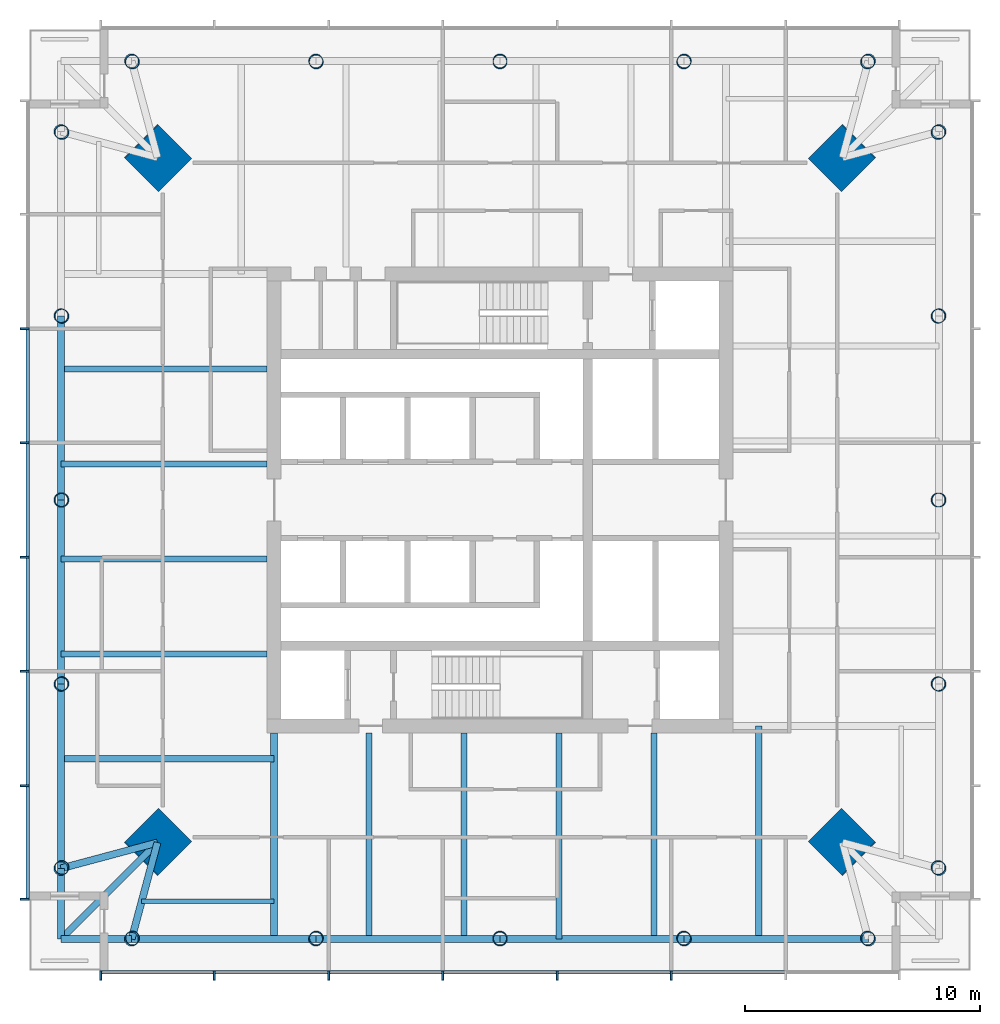
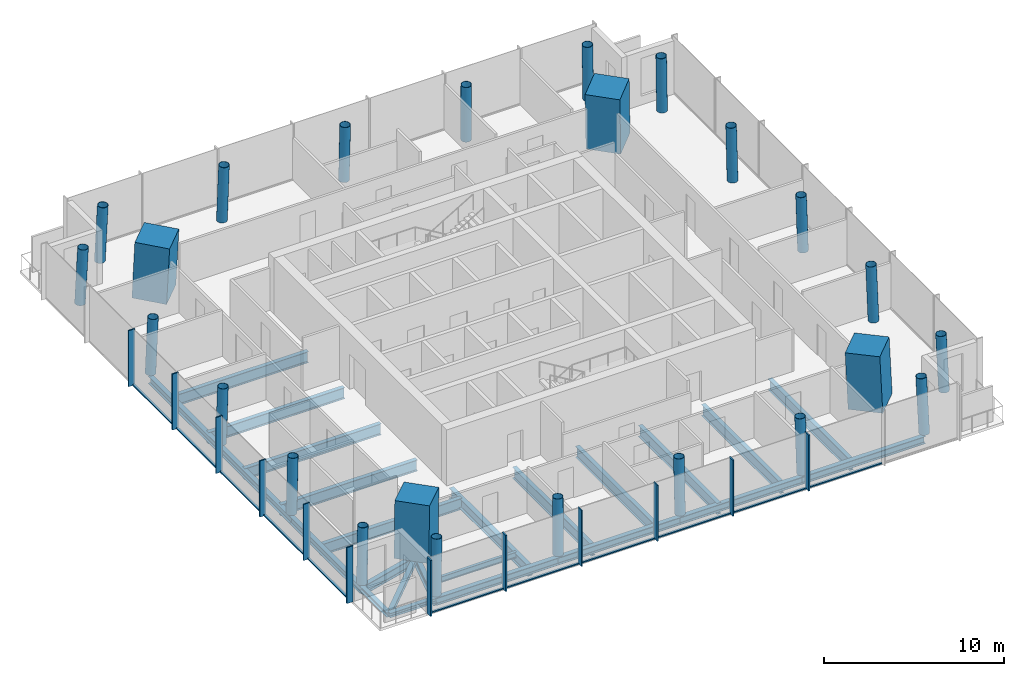
# One storey, part 1 of 7: 24 beams, 24 columns, 23 members, 2 elements without a shape of their own.
"""IFC4 building model written with IfcOpenShell, lengths in metres."""

from ifc_helpers import new_model, si_unit, direction, frame, origin, origin_2d, place, context, subcontext, project, spatial, rectangle, hollow_circle, i_section, extrude, material, material_profile, profile_set, type_object, element, aggregate, save


model = new_model("IFC4")

# Units and contexts
model_context = context("Model", 3, precision=1e-05, world=origin(), true_north=direction((0.0, 1.0)))
body_context = subcontext(model_context, "Body", "Model", "MODEL_VIEW")
ifc_project = project(units=[si_unit("LENGTHUNIT", "METRE"), si_unit("AREAUNIT", "SQUARE_METRE"), si_unit("VOLUMEUNIT", "CUBIC_METRE"), si_unit("PLANEANGLEUNIT", "RADIAN"), si_unit("MASSUNIT", "GRAM", prefix="KILO")], contexts=[model_context])

# Site, building, storey
site_placement = place(None, origin())
site = spatial("IfcSite", under=ifc_project, at=site_placement, CompositionType="ELEMENT")
building_placement = place(site_placement, origin())
building = spatial("IfcBuilding", under=site, at=building_placement, Name="Ostroluk Exchange", CompositionType="ELEMENT")
storey_placement = place(building_placement, frame((0.0, 0.0, 188.199951171875)))
storey = spatial("IfcBuildingStorey", under=building, at=storey_placement, Name="L48", CompositionType="ELEMENT", Elevation=188.199951171875)

# Columns
ifc_material_1 = material(Name="Concrete C50/60", Category="concrete")
ifc_material_profile_1 = material_profile(ifc_material_1, rectangle(XDim=2.0, YDim=2.0, at=origin_2d()), Name="RC 2000x2000")
ifc_profile_set_1 = profile_set([ifc_material_profile_1], Name="Concrete C50/60")
column_type_1 = type_object("IfcColumnType", Name="Mega column RC 2000x2000", PredefinedType="COLUMN", material=ifc_profile_set_1)
for number, where, z_axis, x_axis, name in (
    (1, (59.55712890625, 60.55712890625, 0.0), (-0.031898107953, -0.031898107953, 0.998981992539), (0.707106781187, -0.707106781187, 0.0), "T1 mega column NE"),
    (2, (30.44287109375, 60.55712890625, 0.0), (0.031898107953, -0.031898107953, 0.998981992539), (0.707106781187, 0.707106781187, 0.0), "T1 mega column NW"),
    (3, (30.44287109375, 31.44287109375, 0.0), (0.031898107953, 0.031898107953, 0.998981992539), (-0.707106781187, 0.707106781187, 0.0), "T1 mega column SW"),
    (4, (59.55712890625, 31.44287109375, 0.0), (-0.031898107953, 0.031898107953, 0.998981992539), (-0.707106781187, -0.707106781187, 0.0), "T1 mega column SE"),
):
    element("IfcColumn", number, at=place(storey_placement, frame(where, z_axis=z_axis, x_axis=x_axis)), inside=storey, type_object=column_type_1, Name=name, PredefinedType="COLUMN", context=body_context, shape_type="SweptSolid", body=[
        extrude(rectangle(XDim=2.0, YDim=2.0, at=origin_2d()), origin(), (0.0, 0.0, 1.0), 3.803955078125),
    ])
ifc_material_2 = material(Name="Steel S460", Category="steel")
ifc_material_profile_2 = material_profile(ifc_material_2, hollow_circle(Radius=0.304931640625, WallThickness=0.02490234375, at=origin_2d()), Name="CHS 610x25")
ifc_profile_set_2 = profile_set([ifc_material_profile_2], Name="Steel S460")
column_type_2 = type_object("IfcColumnType", Name="Perimeter column CHS 610x25", PredefinedType="COLUMN", material=ifc_profile_set_2)
for number, where, z_axis, x_axis, name in (
    (5, (63.6572265625, 30.3427734375, 0.0), (-0.031962158256, 0.031962158256, 0.998977898093), (-0.707106781187, -0.707106781187, 0.0), "T1 east face column E0"),
    (6, (63.6572265625, 61.6572265625, 0.0), (-0.031962158256, -0.031962158256, 0.998977898093), (0.707106781187, -0.707106781187, 0.0), "T1 east face column E1"),
):
    element("IfcColumn", number, at=place(storey_placement, frame(where, z_axis=z_axis, x_axis=x_axis)), inside=storey, type_object=column_type_2, Name=name, PredefinedType="COLUMN", context=body_context, shape_type="SweptSolid", body=[
        extrude(hollow_circle(Radius=0.304931640625, WallThickness=0.02490234375, at=origin_2d()), origin(), (0.0, 0.0, 1.0), 3.803955078125),
    ])
column_1_placement = place(storey_placement, frame((63.6572265625, 38.17138671875, 0.0), z_axis=(-0.031974409754, 0.015987204877, 0.999360818924), x_axis=(-0.4472135955, -0.894427191, 0.0)))
element("IfcColumn", 7, at=column_1_placement, inside=storey, type_object=column_type_2, Name="T1 east face column I1", PredefinedType="COLUMN", context=body_context, shape_type="SweptSolid", body=[
    extrude(hollow_circle(Radius=0.304931640625, WallThickness=0.02490234375, at=origin_2d()), origin(), (0.0, 0.0, 1.0), 3.802490234375),
])
column_2_placement = place(storey_placement, frame((63.6572265625, 46.0, 0.0), z_axis=(-0.031978496719, 0.0, 0.999488557087), x_axis=(0.0, -1.0, 0.0)))
element("IfcColumn", 8, at=column_2_placement, inside=storey, type_object=column_type_2, Name="T1 east face column I2", PredefinedType="COLUMN", context=body_context, shape_type="SweptSolid", body=[
    extrude(hollow_circle(Radius=0.304931640625, WallThickness=0.02490234375, at=origin_2d()), origin(), (0.0, 0.0, 1.0), 3.802001953125),
])
column_3_placement = place(storey_placement, frame((63.6572265625, 53.82861328125, 0.0), z_axis=(-0.031974409754, -0.015987204877, 0.999360818924), x_axis=(0.4472135955, -0.894427191, 0.0)))
element("IfcColumn", 9, at=column_3_placement, inside=storey, type_object=column_type_2, Name="T1 east face column I3", PredefinedType="COLUMN", context=body_context, shape_type="SweptSolid", body=[
    extrude(hollow_circle(Radius=0.304931640625, WallThickness=0.02490234375, at=origin_2d()), origin(), (0.0, 0.0, 1.0), 3.802490234375),
])
for number, where, z_axis, x_axis, name in (
    (10, (60.6572265625, 64.6572265625, 0.0), (-0.031962158256, -0.031962158256, 0.998977898093), (0.707106781187, -0.707106781187, 0.0), "T1 north face column E0"),
    (11, (29.3427734375, 64.6572265625, 0.0), (0.031962158256, -0.031962158256, 0.998977898093), (0.707106781187, 0.707106781187, 0.0), "T1 north face column E1"),
):
    element("IfcColumn", number, at=place(storey_placement, frame(where, z_axis=z_axis, x_axis=x_axis)), inside=storey, type_object=column_type_2, Name=name, PredefinedType="COLUMN", context=body_context, shape_type="SweptSolid", body=[
        extrude(hollow_circle(Radius=0.304931640625, WallThickness=0.02490234375, at=origin_2d()), origin(), (0.0, 0.0, 1.0), 3.803955078125),
    ])
column_4_placement = place(storey_placement, frame((52.82861328125, 64.6572265625, 0.0), z_axis=(-0.015987204877, -0.031974409754, 0.999360818924), x_axis=(0.894427191, -0.4472135955, 0.0)))
element("IfcColumn", 12, at=column_4_placement, inside=storey, type_object=column_type_2, Name="T1 north face column I1", PredefinedType="COLUMN", context=body_context, shape_type="SweptSolid", body=[
    extrude(hollow_circle(Radius=0.304931640625, WallThickness=0.02490234375, at=origin_2d()), origin(), (0.0, 0.0, 1.0), 3.802490234375),
])
column_5_placement = place(storey_placement, frame((45.0, 64.6572265625, 0.0), z_axis=(0.0, -0.031978496719, 0.999488557087), x_axis=(1.0, 0.0, 0.0)))
element("IfcColumn", 13, at=column_5_placement, inside=storey, type_object=column_type_2, Name="T1 north face column I2", PredefinedType="COLUMN", context=body_context, shape_type="SweptSolid", body=[
    extrude(hollow_circle(Radius=0.304931640625, WallThickness=0.02490234375, at=origin_2d()), origin(), (0.0, 0.0, 1.0), 3.802001953125),
])
column_6_placement = place(storey_placement, frame((37.17138671875, 64.6572265625, 0.0), z_axis=(0.015987204877, -0.031974409754, 0.999360818924), x_axis=(0.894427191, 0.4472135955, 0.0)))
element("IfcColumn", 14, at=column_6_placement, inside=storey, type_object=column_type_2, Name="T1 north face column I3", PredefinedType="COLUMN", context=body_context, shape_type="SweptSolid", body=[
    extrude(hollow_circle(Radius=0.304931640625, WallThickness=0.02490234375, at=origin_2d()), origin(), (0.0, 0.0, 1.0), 3.802490234375),
])
for number, where, z_axis, x_axis, name in (
    (15, (26.3427734375, 61.6572265625, 0.0), (0.031962158256, -0.031962158256, 0.998977898093), (0.707106781187, 0.707106781187, 0.0), "T1 west face column E0"),
    (16, (26.3427734375, 30.3427734375, 0.0), (0.031962158256, 0.031962158256, 0.998977898093), (-0.707106781187, 0.707106781187, 0.0), "T1 west face column E1"),
):
    element("IfcColumn", number, at=place(storey_placement, frame(where, z_axis=z_axis, x_axis=x_axis)), inside=storey, type_object=column_type_2, Name=name, PredefinedType="COLUMN", context=body_context, shape_type="SweptSolid", body=[
        extrude(hollow_circle(Radius=0.304931640625, WallThickness=0.02490234375, at=origin_2d()), origin(), (0.0, 0.0, 1.0), 3.803955078125),
    ])
column_7_placement = place(storey_placement, frame((26.3427734375, 53.82861328125, 0.0), z_axis=(0.031974409754, -0.015987204877, 0.999360818924), x_axis=(0.4472135955, 0.894427191, 0.0)))
element("IfcColumn", 17, at=column_7_placement, inside=storey, type_object=column_type_2, Name="T1 west face column I1", PredefinedType="COLUMN", context=body_context, shape_type="SweptSolid", body=[
    extrude(hollow_circle(Radius=0.304931640625, WallThickness=0.02490234375, at=origin_2d()), origin(), (0.0, 0.0, 1.0), 3.802490234375),
])
column_8_placement = place(storey_placement, frame((26.3427734375, 46.0, 0.0), z_axis=(0.031978496719, 0.0, 0.999488557087), x_axis=(0.0, 1.0, 0.0)))
element("IfcColumn", 18, at=column_8_placement, inside=storey, type_object=column_type_2, Name="T1 west face column I2", PredefinedType="COLUMN", context=body_context, shape_type="SweptSolid", body=[
    extrude(hollow_circle(Radius=0.304931640625, WallThickness=0.02490234375, at=origin_2d()), origin(), (0.0, 0.0, 1.0), 3.802001953125),
])
column_9_placement = place(storey_placement, frame((26.3427734375, 38.17138671875, 0.0), z_axis=(0.031974409754, 0.015987204877, 0.999360818924), x_axis=(-0.4472135955, 0.894427191, 0.0)))
element("IfcColumn", 19, at=column_9_placement, inside=storey, type_object=column_type_2, Name="T1 west face column I3", PredefinedType="COLUMN", context=body_context, shape_type="SweptSolid", body=[
    extrude(hollow_circle(Radius=0.304931640625, WallThickness=0.02490234375, at=origin_2d()), origin(), (0.0, 0.0, 1.0), 3.802490234375),
])
for number, where, z_axis, x_axis, name in (
    (20, (29.3427734375, 27.3427734375, 0.0), (0.031962158256, 0.031962158256, 0.998977898093), (-0.707106781187, 0.707106781187, 0.0), "T1 south face column E0"),
    (21, (60.6572265625, 27.3427734375, 0.0), (-0.031962158256, 0.031962158256, 0.998977898093), (-0.707106781187, -0.707106781187, 0.0), "T1 south face column E1"),
):
    element("IfcColumn", number, at=place(storey_placement, frame(where, z_axis=z_axis, x_axis=x_axis)), inside=storey, type_object=column_type_2, Name=name, PredefinedType="COLUMN", context=body_context, shape_type="SweptSolid", body=[
        extrude(hollow_circle(Radius=0.304931640625, WallThickness=0.02490234375, at=origin_2d()), origin(), (0.0, 0.0, 1.0), 3.803955078125),
    ])
column_10_placement = place(storey_placement, frame((37.17138671875, 27.3427734375, 0.0), z_axis=(0.015987204877, 0.031974409754, 0.999360818924), x_axis=(-0.894427191, 0.4472135955, 0.0)))
element("IfcColumn", 22, at=column_10_placement, inside=storey, type_object=column_type_2, Name="T1 south face column I1", PredefinedType="COLUMN", context=body_context, shape_type="SweptSolid", body=[
    extrude(hollow_circle(Radius=0.304931640625, WallThickness=0.02490234375, at=origin_2d()), origin(), (0.0, 0.0, 1.0), 3.802490234375),
])
column_11_placement = place(storey_placement, frame((45.0, 27.3427734375, 0.0), z_axis=(0.0, 0.031978496719, 0.999488557087), x_axis=(-1.0, 0.0, 0.0)))
element("IfcColumn", 23, at=column_11_placement, inside=storey, type_object=column_type_2, Name="T1 south face column I2", PredefinedType="COLUMN", context=body_context, shape_type="SweptSolid", body=[
    extrude(hollow_circle(Radius=0.304931640625, WallThickness=0.02490234375, at=origin_2d()), origin(), (0.0, 0.0, 1.0), 3.802001953125),
])
column_12_placement = place(storey_placement, frame((52.82861328125, 27.3427734375, 0.0), z_axis=(-0.015987204877, 0.031974409754, 0.999360818924), x_axis=(-0.894427191, -0.4472135955, 0.0)))
element("IfcColumn", 24, at=column_12_placement, inside=storey, type_object=column_type_2, Name="T1 south face column I3", PredefinedType="COLUMN", context=body_context, shape_type="SweptSolid", body=[
    extrude(hollow_circle(Radius=0.304931640625, WallThickness=0.02490234375, at=origin_2d()), origin(), (0.0, 0.0, 1.0), 3.802490234375),
])

# Beams
ifc_material_3 = material(Name="Steel S355", Category="steel")
ifc_material_profile_3 = material_profile(ifc_material_3, i_section(OverallWidth=0.300048828125, OverallDepth=0.300048828125, WebThickness=0.010986328125, FlangeThickness=0.01904296875, FilletRadius=0.027099609375, at=origin_2d()), Name="HEB 300")
ifc_profile_set_3 = profile_set([ifc_material_profile_3], Name="Steel S355")
beam_type_1 = type_object("IfcBeamType", Name="Balcony beam HEB 300", PredefinedType="BEAM", material=ifc_profile_set_3)
for number, where, z_axis, x_axis, name in (
    (25, (26.3427734375, 30.3427734375, -0.329833984375), (0.0, -1.0, 0.0), (1.0, 0.0, 0.0), "T1 west balcony beam a"),
    (26, (29.3427734375, 27.3427734375, -0.329833984375), (-1.0, 0.0, 0.0), (0.0, -1.0, 0.0), "T1 west balcony beam b"),
):
    element("IfcBeam", number, at=place(storey_placement, frame(where, z_axis=z_axis, x_axis=x_axis)), inside=storey, type_object=beam_type_1, Name=name, PredefinedType="BEAM", context=body_context, shape_type="SweptSolid", body=[
        extrude(i_section(OverallWidth=0.300048828125, OverallDepth=0.300048828125, WebThickness=0.010986328125, FlangeThickness=0.01904296875, FilletRadius=0.027099609375, at=origin_2d()), origin(), (0.0, 0.0, 1.0), 3.0),
    ])
beam_1_placement = place(storey_placement, frame((30.44287109375, 31.44287109375, -0.329833984375), z_axis=(-0.707106781187, -0.707106781187, 0.0), x_axis=(0.707106781187, -0.707106781187, 0.0)))
element("IfcBeam", 27, at=beam_1_placement, inside=storey, type_object=beam_type_1, Name="T1 west balcony beam c", PredefinedType="BEAM", context=body_context, shape_type="SweptSolid", body=[
    extrude(i_section(OverallWidth=0.300048828125, OverallDepth=0.300048828125, WebThickness=0.010986328125, FlangeThickness=0.01904296875, FilletRadius=0.027099609375, at=origin_2d()), origin(), (0.0, 0.0, 1.0), 5.79833984375),
])
ifc_material_4 = material(Name="Steel S355", Category="steel")
ifc_material_profile_4 = material_profile(ifc_material_4, i_section(OverallWidth=0.300048828125, OverallDepth=0.60009765625, WebThickness=0.015380859375, FlangeThickness=0.030029296875, FilletRadius=0.027099609375, at=origin_2d()), Name="HEB 600")
ifc_profile_set_4 = profile_set([ifc_material_profile_4], Name="Steel S355")
beam_type_2 = type_object("IfcBeamType", Name="Corner edge beam HEB 600", PredefinedType="SPANDREL", material=ifc_profile_set_4)
for number, where, z_axis, x_axis, name in (
    (28, (30.44287109375, 31.44287109375, -0.47998046875), (-0.965838624319, -0.259144268261, 0.0), (0.259144268261, -0.965838624319, 0.0), "T1 west corner edge beam a"),
    (29, (30.44287109375, 31.44287109375, -0.47998046875), (-0.259144268261, -0.965838624319, 0.0), (0.965838624319, -0.259144268261, 0.0), "T1 west corner edge beam b"),
):
    element("IfcBeam", number, at=place(storey_placement, frame(where, z_axis=z_axis, x_axis=x_axis)), inside=storey, type_object=beam_type_2, Name=name, PredefinedType="SPANDREL", context=body_context, shape_type="SweptSolid", body=[
        extrude(i_section(OverallWidth=0.300048828125, OverallDepth=0.60009765625, WebThickness=0.015380859375, FlangeThickness=0.030029296875, FilletRadius=0.027099609375, at=origin_2d()), origin(), (0.0, 0.0, 1.0), 4.2451171875),
    ])
ifc_material_5 = material(Name="Steel S355", Category="steel")
ifc_material_profile_5 = material_profile(ifc_material_5, i_section(OverallWidth=0.179931640625, OverallDepth=0.39990234375, WebThickness=0.008544921875, FlangeThickness=0.013427734375, FilletRadius=0.02099609375, at=origin_2d()), Name="IPE 400")
ifc_profile_set_5 = profile_set([ifc_material_profile_5], Name="Steel S355")
beam_type_3 = type_object("IfcBeamType", Name="Floor beam IPE 400", PredefinedType="BEAM", material=ifc_profile_set_5)
beam_2_placement = place(storey_placement, frame((35.39990234375, 28.94287109375, -0.3798828125), z_axis=(-1.0, 0.0, 0.0), x_axis=(0.0, -1.0, 0.0)))
element("IfcBeam", 30, at=beam_2_placement, inside=storey, type_object=beam_type_3, Name="T1 west floor beam 6", PredefinedType="BEAM", context=body_context, shape_type="SweptSolid", body=[
    extrude(i_section(OverallWidth=0.179931640625, OverallDepth=0.39990234375, WebThickness=0.008544921875, FlangeThickness=0.013427734375, FilletRadius=0.02099609375, at=origin_2d()), origin(), (0.0, 0.0, 1.0), 5.627685546875),
])
ifc_material_6 = material(Name="Steel S355", Category="steel")
ifc_material_profile_6 = material_profile(ifc_material_6, i_section(OverallWidth=0.264892578125, OverallDepth=0.7529296875, WebThickness=0.01318359375, FlangeThickness=0.01708984375, FilletRadius=0.01708984375, at=origin_2d()), Name="IPE 750x147")
ifc_profile_set_6 = profile_set([ifc_material_profile_6], Name="Steel S355")
beam_type_4 = type_object("IfcBeamType", Name="Floor beam IPE 750x147", PredefinedType="BEAM", material=ifc_profile_set_6)
for number, where, z_axis, x_axis, name in (
    (31, (35.10009765625, 51.563232421875, -0.556396484375), (-1.0, 0.0, 0.0), (0.0, -1.0, 0.0), "T1 west floor beam 1"),
    (32, (35.10009765625, 47.526611328125, -0.556396484375), (-1.0, 0.0, 0.0), (0.0, -1.0, 0.0), "T1 west floor beam 2"),
    (33, (35.10009765625, 43.48974609375, -0.556396484375), (-1.0, 0.0, 0.0), (0.0, -1.0, 0.0), "T1 west floor beam 3"),
    (34, (35.10009765625, 39.453125, -0.556396484375), (-1.0, 0.0, 0.0), (0.0, -1.0, 0.0), "T1 west floor beam 4"),
):
    element("IfcBeam", number, at=place(storey_placement, frame(where, z_axis=z_axis, x_axis=x_axis)), inside=storey, type_object=beam_type_4, Name=name, PredefinedType="BEAM", context=body_context, shape_type="SweptSolid", body=[
        extrude(i_section(OverallWidth=0.264892578125, OverallDepth=0.7529296875, WebThickness=0.01318359375, FlangeThickness=0.01708984375, FilletRadius=0.01708984375, at=origin_2d()), origin(), (0.0, 0.0, 1.0), 8.75732421875),
    ])
beam_3_placement = place(storey_placement, frame((35.39990234375, 35.0, -0.556396484375), z_axis=(-1.0, 0.0, 0.0), x_axis=(0.0, -1.0, 0.0)))
element("IfcBeam", 35, at=beam_3_placement, inside=storey, type_object=beam_type_4, Name="T1 west floor beam 5", PredefinedType="BEAM", context=body_context, shape_type="SweptSolid", body=[
    extrude(i_section(OverallWidth=0.264892578125, OverallDepth=0.7529296875, WebThickness=0.01318359375, FlangeThickness=0.01708984375, FilletRadius=0.01708984375, at=origin_2d()), origin(), (0.0, 0.0, 1.0), 9.05712890625),
])
for number, where, z_axis, x_axis, name in (
    (36, (39.436767578125, 36.10009765625, -0.556396484375), (0.0, -1.0, 0.0), (1.0, 0.0, 0.0), "T1 south floor beam 1"),
    (37, (43.473388671875, 36.10009765625, -0.556396484375), (0.0, -1.0, 0.0), (1.0, 0.0, 0.0), "T1 south floor beam 2"),
    (38, (47.51025390625, 36.10009765625, -0.556396484375), (0.0, -1.0, 0.0), (1.0, 0.0, 0.0), "T1 south floor beam 3"),
    (39, (51.546875, 36.10009765625, -0.556396484375), (0.0, -1.0, 0.0), (1.0, 0.0, 0.0), "T1 south floor beam 4"),
):
    element("IfcBeam", number, at=place(storey_placement, frame(where, z_axis=z_axis, x_axis=x_axis)), inside=storey, type_object=beam_type_4, Name=name, PredefinedType="BEAM", context=body_context, shape_type="SweptSolid", body=[
        extrude(i_section(OverallWidth=0.264892578125, OverallDepth=0.7529296875, WebThickness=0.01318359375, FlangeThickness=0.01708984375, FilletRadius=0.01708984375, at=origin_2d()), origin(), (0.0, 0.0, 1.0), 8.75732421875),
    ])
beam_4_placement = place(storey_placement, frame((56.0, 36.39990234375, -0.556396484375), z_axis=(0.0, -1.0, 0.0), x_axis=(1.0, 0.0, 0.0)))
element("IfcBeam", 40, at=beam_4_placement, inside=storey, type_object=beam_type_4, Name="T1 south floor beam 5", PredefinedType="BEAM", context=body_context, shape_type="SweptSolid", body=[
    extrude(i_section(OverallWidth=0.264892578125, OverallDepth=0.7529296875, WebThickness=0.01318359375, FlangeThickness=0.01708984375, FilletRadius=0.01708984375, at=origin_2d()), origin(), (0.0, 0.0, 1.0), 9.05712890625),
])
ifc_material_7 = material(Name="Steel S355", Category="steel")
ifc_material_profile_7 = material_profile(ifc_material_7, i_section(OverallWidth=0.300048828125, OverallDepth=0.699951171875, WebThickness=0.01708984375, FlangeThickness=0.031982421875, FilletRadius=0.027099609375, at=origin_2d()), Name="HEB 700")
ifc_profile_set_7 = profile_set([ifc_material_profile_7], Name="Steel S355")
beam_type_5 = type_object("IfcBeamType", Name="Girder HEB 700", PredefinedType="BEAM", material=ifc_profile_set_7)
beam_5_placement = place(storey_placement, frame((35.39990234375, 36.10009765625, -0.530029296875), z_axis=(0.0, -1.0, 0.0), x_axis=(1.0, 0.0, 0.0)))
element("IfcBeam", 41, at=beam_5_placement, inside=storey, type_object=beam_type_5, Name="T1 west girder", PredefinedType="BEAM", context=body_context, shape_type="SweptSolid", body=[
    extrude(i_section(OverallWidth=0.300048828125, OverallDepth=0.699951171875, WebThickness=0.01708984375, FlangeThickness=0.031982421875, FilletRadius=0.027099609375, at=origin_2d()), origin(), (0.0, 0.0, 1.0), 8.75732421875),
])
ifc_material_8 = material(Name="Steel S355", Category="steel")
ifc_material_profile_8 = material_profile(ifc_material_8, i_section(OverallWidth=0.300048828125, OverallDepth=0.5, WebThickness=0.014404296875, FlangeThickness=0.028076171875, FilletRadius=0.027099609375, at=origin_2d()), Name="HEB 500")
ifc_profile_set_8 = profile_set([ifc_material_profile_8], Name="Steel S355")
beam_type_6 = type_object("IfcBeamType", Name="Moment-connected edge beam HEB 500", PredefinedType="SPANDREL", material=ifc_profile_set_8)
for number, where, z_axis, x_axis, name in (
    (42, (26.3427734375, 53.82861328125, -0.429931640625), (0.0, -1.0, 0.0), (1.0, 0.0, 0.0), "T1 west edge beam 2"),
    (43, (26.3427734375, 46.0, -0.429931640625), (0.0, -1.0, 0.0), (1.0, 0.0, 0.0), "T1 west edge beam 3"),
    (44, (26.3427734375, 38.17138671875, -0.429931640625), (0.0, -1.0, 0.0), (1.0, 0.0, 0.0), "T1 west edge beam 4"),
    (45, (29.3427734375, 27.3427734375, -0.429931640625), (1.0, 0.0, 0.0), (0.0, 1.0, 0.0), "T1 south edge beam 1"),
    (46, (37.17138671875, 27.3427734375, -0.429931640625), (1.0, 0.0, 0.0), (0.0, 1.0, 0.0), "T1 south edge beam 2"),
    (47, (45.0, 27.3427734375, -0.429931640625), (1.0, 0.0, 0.0), (0.0, 1.0, 0.0), "T1 south edge beam 3"),
    (48, (52.82861328125, 27.3427734375, -0.429931640625), (1.0, 0.0, 0.0), (0.0, 1.0, 0.0), "T1 south edge beam 4"),
):
    element("IfcBeam", number, at=place(storey_placement, frame(where, z_axis=z_axis, x_axis=x_axis)), inside=storey, type_object=beam_type_6, Name=name, PredefinedType="SPANDREL", context=body_context, shape_type="SweptSolid", body=[
        extrude(i_section(OverallWidth=0.300048828125, OverallDepth=0.5, WebThickness=0.014404296875, FlangeThickness=0.028076171875, FilletRadius=0.027099609375, at=origin_2d()), origin(), (0.0, 0.0, 1.0), 7.82861328125),
    ])

# Curtain wall, members
ifc_material_9 = material(Name="Laminated clear glass", Category="glass")
curtain_wall_type = type_object("IfcCurtainWallType", Name="Office tower facade", PredefinedType="USERDEFINED", material=ifc_material_9)
curtain_wall_1_placement = place(storey_placement, origin())
curtain_wall_1 = element("IfcCurtainWall", 49, at=curtain_wall_1_placement, inside=storey, type_object=curtain_wall_type, Name="Office tower south facade L48", ObjectType="UNITISED CURTAIN WALL", PredefinedType="USERDEFINED")
ifc_material_10 = material(Name="Aluminium mullion", Category="aluminium")
ifc_material_profile_9 = material_profile(ifc_material_10, rectangle(XDim=0.14990234375, YDim=0.080078125, at=origin_2d()), Name="Sill transom 80 x 150")
ifc_profile_set_9 = profile_set([ifc_material_profile_9], Name="Aluminium mullion")
member_type_1 = type_object("IfcMemberType", Name="Sill transom 80 x 150", PredefinedType="USERDEFINED", material=ifc_profile_set_9)
member_1_placement = place(storey_placement, frame((28.080078125, 25.925048828125, 0.0400390625), z_axis=(1.0, 0.0, 0.0), x_axis=(0.0, 1.0, 0.0)))
member_1 = element("IfcMember", 50, at=member_1_placement, type_object=member_type_1, Name="CW-O1 transom 1.1", ObjectType="TRANSOM", PredefinedType="USERDEFINED", context=body_context, shape_type="SweptSolid", body=[
    extrude(rectangle(XDim=0.14990234375, YDim=0.080078125, at=origin_2d()), origin(), (0.0, 0.0, 1.0), 4.737060546875),
])
member_2_placement = place(storey_placement, frame((32.897216796875, 25.925048828125, 0.0400390625), z_axis=(1.0, 0.0, 0.0), x_axis=(0.0, 1.0, 0.0)))
member_2 = element("IfcMember", 51, at=member_2_placement, type_object=member_type_1, Name="CW-O1 transom 2.1", ObjectType="TRANSOM", PredefinedType="USERDEFINED", context=body_context, shape_type="SweptSolid", body=[
    extrude(rectangle(XDim=0.14990234375, YDim=0.080078125, at=origin_2d()), origin(), (0.0, 0.0, 1.0), 4.777099609375),
])
member_3_placement = place(storey_placement, frame((37.75439453125, 25.925048828125, 0.0400390625), z_axis=(1.0, 0.0, 0.0), x_axis=(0.0, 1.0, 0.0)))
member_3 = element("IfcMember", 52, at=member_3_placement, type_object=member_type_1, Name="CW-O1 transom 3.1", ObjectType="TRANSOM", PredefinedType="USERDEFINED", context=body_context, shape_type="SweptSolid", body=[
    extrude(rectangle(XDim=0.14990234375, YDim=0.080078125, at=origin_2d()), origin(), (0.0, 0.0, 1.0), 4.777099609375),
])
member_4_placement = place(storey_placement, frame((42.611328125, 25.925048828125, 0.0400390625), z_axis=(1.0, 0.0, 0.0), x_axis=(0.0, 1.0, 0.0)))
member_4 = element("IfcMember", 53, at=member_4_placement, type_object=member_type_1, Name="CW-O1 transom 4.1", ObjectType="TRANSOM", PredefinedType="USERDEFINED", context=body_context, shape_type="SweptSolid", body=[
    extrude(rectangle(XDim=0.14990234375, YDim=0.080078125, at=origin_2d()), origin(), (0.0, 0.0, 1.0), 4.77734375),
])
member_5_placement = place(storey_placement, frame((47.468505859375, 25.925048828125, 0.0400390625), z_axis=(1.0, 0.0, 0.0), x_axis=(0.0, 1.0, 0.0)))
member_5 = element("IfcMember", 54, at=member_5_placement, type_object=member_type_1, Name="CW-O1 transom 5.1", ObjectType="TRANSOM", PredefinedType="USERDEFINED", context=body_context, shape_type="SweptSolid", body=[
    extrude(rectangle(XDim=0.14990234375, YDim=0.080078125, at=origin_2d()), origin(), (0.0, 0.0, 1.0), 4.777099609375),
])
member_6_placement = place(storey_placement, frame((52.32568359375, 25.925048828125, 0.0400390625), z_axis=(1.0, 0.0, 0.0), x_axis=(0.0, 1.0, 0.0)))
member_6 = element("IfcMember", 55, at=member_6_placement, type_object=member_type_1, Name="CW-O1 transom 6.1", ObjectType="TRANSOM", PredefinedType="USERDEFINED", context=body_context, shape_type="SweptSolid", body=[
    extrude(rectangle(XDim=0.14990234375, YDim=0.080078125, at=origin_2d()), origin(), (0.0, 0.0, 1.0), 4.777099609375),
])

curtain_wall_2_placement = place(storey_placement, origin())
curtain_wall_2 = element("IfcCurtainWall", 56, at=curtain_wall_2_placement, inside=storey, type_object=curtain_wall_type, Name="Office tower west facade L48", ObjectType="UNITISED CURTAIN WALL", PredefinedType="USERDEFINED")
member_7_placement = place(storey_placement, frame((24.925048828125, 53.24560546875, 0.0400390625), z_axis=(0.0, -1.0, 0.0), x_axis=(1.0, 0.0, 0.0)))
member_7 = element("IfcMember", 57, at=member_7_placement, type_object=member_type_1, Name="CW-O1 transom 3.1", ObjectType="TRANSOM", PredefinedType="USERDEFINED", context=body_context, shape_type="SweptSolid", body=[
    extrude(rectangle(XDim=0.14990234375, YDim=0.080078125, at=origin_2d()), origin(), (0.0, 0.0, 1.0), 4.777099609375),
])
member_8_placement = place(storey_placement, frame((24.925048828125, 48.388671875, 0.0400390625), z_axis=(0.0, -1.0, 0.0), x_axis=(1.0, 0.0, 0.0)))
member_8 = element("IfcMember", 58, at=member_8_placement, type_object=member_type_1, Name="CW-O1 transom 4.1", ObjectType="TRANSOM", PredefinedType="USERDEFINED", context=body_context, shape_type="SweptSolid", body=[
    extrude(rectangle(XDim=0.14990234375, YDim=0.080078125, at=origin_2d()), origin(), (0.0, 0.0, 1.0), 4.77734375),
])
member_9_placement = place(storey_placement, frame((24.925048828125, 43.531494140625, 0.0400390625), z_axis=(0.0, -1.0, 0.0), x_axis=(1.0, 0.0, 0.0)))
member_9 = element("IfcMember", 59, at=member_9_placement, type_object=member_type_1, Name="CW-O1 transom 5.1", ObjectType="TRANSOM", PredefinedType="USERDEFINED", context=body_context, shape_type="SweptSolid", body=[
    extrude(rectangle(XDim=0.14990234375, YDim=0.080078125, at=origin_2d()), origin(), (0.0, 0.0, 1.0), 4.777099609375),
])
member_10_placement = place(storey_placement, frame((24.925048828125, 38.67431640625, 0.0400390625), z_axis=(0.0, -1.0, 0.0), x_axis=(1.0, 0.0, 0.0)))
member_10 = element("IfcMember", 60, at=member_10_placement, type_object=member_type_1, Name="CW-O1 transom 6.1", ObjectType="TRANSOM", PredefinedType="USERDEFINED", context=body_context, shape_type="SweptSolid", body=[
    extrude(rectangle(XDim=0.14990234375, YDim=0.080078125, at=origin_2d()), origin(), (0.0, 0.0, 1.0), 4.777099609375),
])
member_11_placement = place(storey_placement, frame((24.925048828125, 33.817138671875, 0.0400390625), z_axis=(0.0, -1.0, 0.0), x_axis=(1.0, 0.0, 0.0)))
member_11 = element("IfcMember", 61, at=member_11_placement, type_object=member_type_1, Name="CW-O1 transom 7.1", ObjectType="TRANSOM", PredefinedType="USERDEFINED", context=body_context, shape_type="SweptSolid", body=[
    extrude(rectangle(XDim=0.14990234375, YDim=0.080078125, at=origin_2d()), origin(), (0.0, 0.0, 1.0), 4.737060546875),
])

# Member
ifc_material_11 = material(Name="Aluminium mullion with limestone facing", Category="masonry")
ifc_material_profile_10 = material_profile(ifc_material_11, rectangle(XDim=0.39990234375, YDim=0.080078125, at=origin_2d()), Name="Tracery mullion 80 x 400")
ifc_profile_set_10 = profile_set([ifc_material_profile_10], Name="Aluminium mullion with limestone facing")
member_type_2 = type_object("IfcMemberType", Name="Tracery mullion 80 x 400", PredefinedType="MULLION", material=ifc_profile_set_10)
member_12_placement = place(storey_placement, frame((28.0400390625, 25.800048828125, 0.0), z_axis=(0.0, 0.0, 1.0), x_axis=(0.0, 1.0, 0.0)))
member_12 = element("IfcMember", 62, at=member_12_placement, type_object=member_type_2, Name="CW-O1 mullion 1", PredefinedType="MULLION", context=body_context, shape_type="SweptSolid", body=[
    extrude(rectangle(XDim=0.39990234375, YDim=0.080078125, at=origin_2d()), origin(), (0.0, 0.0, 1.0), 3.800048828125),
])

member_13_placement = place(storey_placement, frame((32.857177734375, 25.800048828125, 0.0), z_axis=(0.0, 0.0, 1.0), x_axis=(0.0, 1.0, 0.0)))
member_13 = element("IfcMember", 63, at=member_13_placement, type_object=member_type_2, Name="CW-O1 mullion 2", PredefinedType="MULLION", context=body_context, shape_type="SweptSolid", body=[
    extrude(rectangle(XDim=0.39990234375, YDim=0.080078125, at=origin_2d()), origin(), (0.0, 0.0, 1.0), 3.800048828125),
])

member_14_placement = place(storey_placement, frame((37.71435546875, 25.800048828125, 0.0), z_axis=(0.0, 0.0, 1.0), x_axis=(0.0, 1.0, 0.0)))
member_14 = element("IfcMember", 64, at=member_14_placement, type_object=member_type_2, Name="CW-O1 mullion 3", PredefinedType="MULLION", context=body_context, shape_type="SweptSolid", body=[
    extrude(rectangle(XDim=0.39990234375, YDim=0.080078125, at=origin_2d()), origin(), (0.0, 0.0, 1.0), 3.800048828125),
])

member_15_placement = place(storey_placement, frame((42.571533203125, 25.800048828125, 0.0), z_axis=(0.0, 0.0, 1.0), x_axis=(0.0, 1.0, 0.0)))
member_15 = element("IfcMember", 65, at=member_15_placement, type_object=member_type_2, Name="CW-O1 mullion 4", PredefinedType="MULLION", context=body_context, shape_type="SweptSolid", body=[
    extrude(rectangle(XDim=0.39990234375, YDim=0.080078125, at=origin_2d()), origin(), (0.0, 0.0, 1.0), 3.800048828125),
])

member_16_placement = place(storey_placement, frame((47.428466796875, 25.800048828125, 0.0), z_axis=(0.0, 0.0, 1.0), x_axis=(0.0, 1.0, 0.0)))
member_16 = element("IfcMember", 66, at=member_16_placement, type_object=member_type_2, Name="CW-O1 mullion 5", PredefinedType="MULLION", context=body_context, shape_type="SweptSolid", body=[
    extrude(rectangle(XDim=0.39990234375, YDim=0.080078125, at=origin_2d()), origin(), (0.0, 0.0, 1.0), 3.800048828125),
])

member_17_placement = place(storey_placement, frame((52.28564453125, 25.800048828125, 0.0), z_axis=(0.0, 0.0, 1.0), x_axis=(0.0, 1.0, 0.0)))
member_17 = element("IfcMember", 67, at=member_17_placement, type_object=member_type_2, Name="CW-O1 mullion 6", PredefinedType="MULLION", context=body_context, shape_type="SweptSolid", body=[
    extrude(rectangle(XDim=0.39990234375, YDim=0.080078125, at=origin_2d()), origin(), (0.0, 0.0, 1.0), 3.800048828125),
])

aggregate(curtain_wall_1, [member_12, member_13, member_14, member_15, member_16, member_17, member_1, member_2, member_3, member_4, member_5, member_6])

member_18_placement = place(storey_placement, frame((24.800048828125, 53.28564453125, 0.0), z_axis=(0.0, 0.0, 1.0), x_axis=(1.0, 0.0, 0.0)))
member_18 = element("IfcMember", 68, at=member_18_placement, type_object=member_type_2, Name="CW-O1 mullion 3", PredefinedType="MULLION", context=body_context, shape_type="SweptSolid", body=[
    extrude(rectangle(XDim=0.39990234375, YDim=0.080078125, at=origin_2d()), origin(), (0.0, 0.0, 1.0), 3.800048828125),
])

member_19_placement = place(storey_placement, frame((24.800048828125, 48.428466796875, 0.0), z_axis=(0.0, 0.0, 1.0), x_axis=(1.0, 0.0, 0.0)))
member_19 = element("IfcMember", 69, at=member_19_placement, type_object=member_type_2, Name="CW-O1 mullion 4", PredefinedType="MULLION", context=body_context, shape_type="SweptSolid", body=[
    extrude(rectangle(XDim=0.39990234375, YDim=0.080078125, at=origin_2d()), origin(), (0.0, 0.0, 1.0), 3.800048828125),
])

member_20_placement = place(storey_placement, frame((24.800048828125, 43.571533203125, 0.0), z_axis=(0.0, 0.0, 1.0), x_axis=(1.0, 0.0, 0.0)))
member_20 = element("IfcMember", 70, at=member_20_placement, type_object=member_type_2, Name="CW-O1 mullion 5", PredefinedType="MULLION", context=body_context, shape_type="SweptSolid", body=[
    extrude(rectangle(XDim=0.39990234375, YDim=0.080078125, at=origin_2d()), origin(), (0.0, 0.0, 1.0), 3.800048828125),
])

member_21_placement = place(storey_placement, frame((24.800048828125, 38.71435546875, 0.0), z_axis=(0.0, 0.0, 1.0), x_axis=(1.0, 0.0, 0.0)))
member_21 = element("IfcMember", 71, at=member_21_placement, type_object=member_type_2, Name="CW-O1 mullion 6", PredefinedType="MULLION", context=body_context, shape_type="SweptSolid", body=[
    extrude(rectangle(XDim=0.39990234375, YDim=0.080078125, at=origin_2d()), origin(), (0.0, 0.0, 1.0), 3.800048828125),
])

member_22_placement = place(storey_placement, frame((24.800048828125, 33.857177734375, 0.0), z_axis=(0.0, 0.0, 1.0), x_axis=(1.0, 0.0, 0.0)))
member_22 = element("IfcMember", 72, at=member_22_placement, type_object=member_type_2, Name="CW-O1 mullion 7", PredefinedType="MULLION", context=body_context, shape_type="SweptSolid", body=[
    extrude(rectangle(XDim=0.39990234375, YDim=0.080078125, at=origin_2d()), origin(), (0.0, 0.0, 1.0), 3.800048828125),
])

member_23_placement = place(storey_placement, frame((24.800048828125, 29.0400390625, 0.0), z_axis=(0.0, 0.0, 1.0), x_axis=(1.0, 0.0, 0.0)))
member_23 = element("IfcMember", 73, at=member_23_placement, type_object=member_type_2, Name="CW-O1 mullion 8", PredefinedType="MULLION", context=body_context, shape_type="SweptSolid", body=[
    extrude(rectangle(XDim=0.39990234375, YDim=0.080078125, at=origin_2d()), origin(), (0.0, 0.0, 1.0), 3.800048828125),
])

aggregate(curtain_wall_2, [member_18, member_19, member_20, member_21, member_22, member_23, member_7, member_8, member_9, member_10, member_11])

save(model, "model.ifc")
